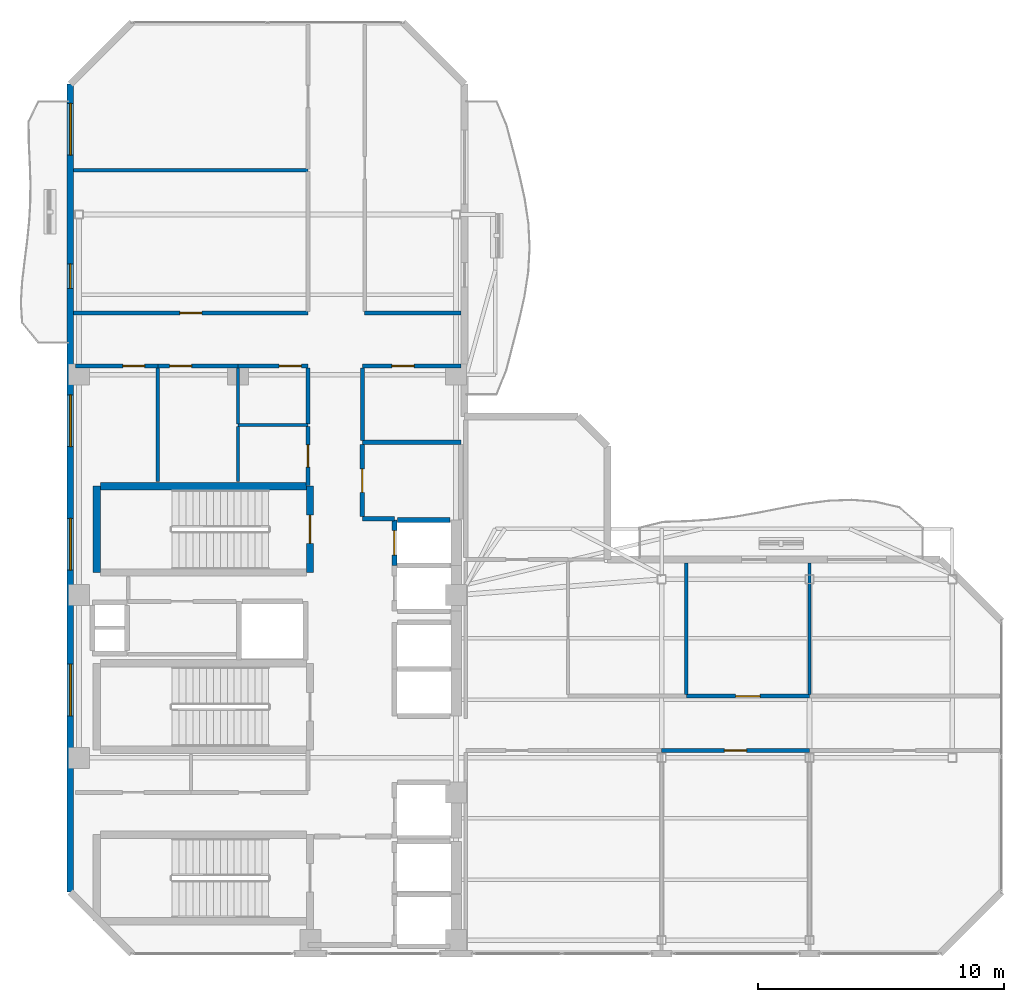
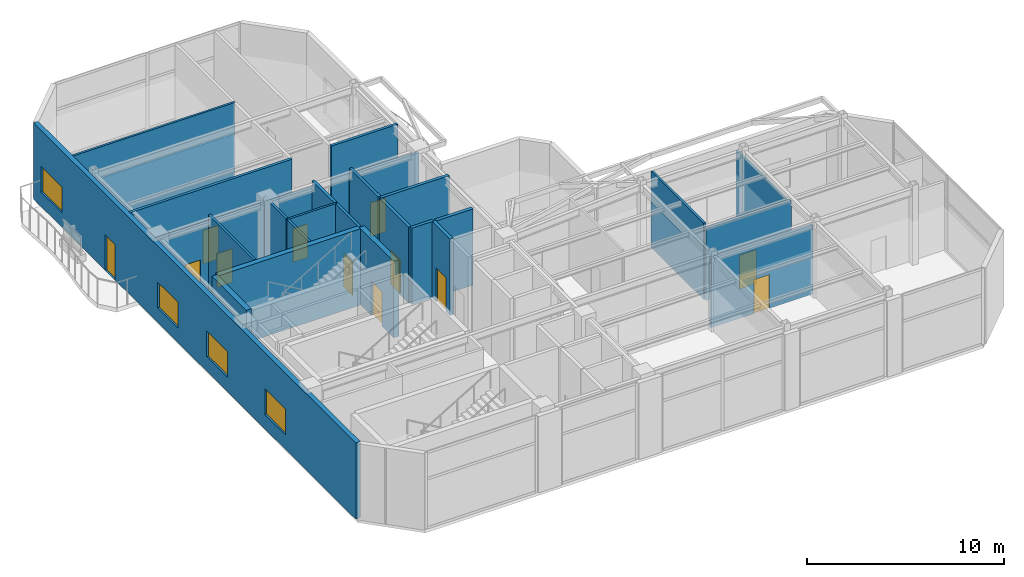
# One storey, part 12 of 15: 27 walls, 12 doors, 4 windows, 16 openings.
"""IFC4 building model written with IfcOpenShell, lengths in metres."""

from ifc_helpers import new_model, si_unit, direction, frame, frame_2d, origin, place, context, subcontext, project, spatial, rectangle, extrude, material, layer, layer_set, type_object, element, fill, save


model = new_model("IFC4")

# Units and contexts
model_context = context("Model", 3, precision=1e-05, world=origin(), true_north=direction((0.0, 1.0)))
body_context = subcontext(model_context, "Body", "Model", "MODEL_VIEW")
ifc_project = project(units=[si_unit("LENGTHUNIT", "METRE"), si_unit("AREAUNIT", "SQUARE_METRE"), si_unit("VOLUMEUNIT", "CUBIC_METRE"), si_unit("PLANEANGLEUNIT", "RADIAN"), si_unit("MASSUNIT", "GRAM", prefix="KILO")], contexts=[model_context])

# Site, building, storey
site_placement = place(None, origin())
site = spatial("IfcSite", under=ifc_project, at=site_placement, CompositionType="ELEMENT")
building_placement = place(site_placement, origin())
building = spatial("IfcBuilding", under=site, at=building_placement, Name="Mawjaban Terraces University", CompositionType="ELEMENT")
storey_placement = place(building_placement, frame((0.0, 0.0, 306.699951171875)))
storey = spatial("IfcBuildingStorey", under=building, at=storey_placement, Name="L75", CompositionType="ELEMENT", Elevation=306.699951171875)

# Walls
ifc_material_1 = material(Name="Acoustic masonry blockwork", Category="masonry")
ifc_layer_1 = layer(ifc_material_1, 0.179931640625)
ifc_layer_set_1 = layer_set([ifc_layer_1], Name="Acoustic masonry blockwork")
wall_type_1 = type_object("IfcWallType", Name="AcousticStudioWall_180", PredefinedType="PARTITIONING", material=ifc_layer_set_1)
wall_1_placement = place(storey_placement, frame((33.85009765625, 17.64990234375, 0.0), z_axis=(0.0, 0.0, 1.0), x_axis=(1.0, 0.0, 0.0)))
element("IfcWall", 1, at=wall_1_placement, inside=storey, type_object=wall_type_1, Name="L75 Graduate Research Collaboration Studio Partition 12", PredefinedType="PARTITIONING", context=body_context, shape_type="SweptSolid", body=[
    extrude(rectangle(XDim=1.2998046875, YDim=0.179931640625, at=frame_2d((0.64990234375, 0.0))), origin(), (0.0, 0.0, 1.0), 4.739990234375),
])
wall_2_placement = place(storey_placement, frame((37.85009765625, 20.75, 0.0), z_axis=(0.0, 0.0, 1.0), x_axis=(-1.0, 0.0, 0.0)))
element("IfcWall", 2, at=wall_2_placement, inside=storey, type_object=wall_type_1, Name="L75 Graduate Research Collaboration Studio Partition 14", PredefinedType="PARTITIONING", context=body_context, shape_type="SweptSolid", body=[
    extrude(rectangle(XDim=4.0, YDim=0.179931640625, at=frame_2d((2.0, 0.0))), origin(), (0.0, 0.0, 1.0), 4.739990234375),
])

# Wall, opening, door
wall_3_placement = place(storey_placement, frame((33.85009765625, 17.735107421875, 0.0), z_axis=(0.0, 0.0, 1.0), x_axis=(0.0, 1.0, 0.0)))
wall_3 = element("IfcWall", 3, at=wall_3_placement, inside=storey, type_object=wall_type_1, Name="L75 Core North Lift Lobby Partition 36", PredefinedType="PARTITIONING", context=body_context, shape_type="SweptSolid", body=[
    extrude(rectangle(XDim=2.929931640625, YDim=0.179931640625, at=frame_2d((1.46484375, 0.0))), origin(), (0.0, 0.0, 1.0), 4.739990234375),
])
opening_1_placement = place(wall_3_placement, frame((0.989990234375, 0.0, 0.0)))
opening_1 = element("IfcOpeningElement", 4, at=opening_1_placement, cuts=wall_3, Name="Opening ID-095", PredefinedType="OPENING", context=body_context, shape_type="SweptSolid", body=[
    extrude(rectangle(XDim=0.949951171875, YDim=2.10009765625, at=frame_2d((0.47509765625, 1.050048828125))), frame((0.0, 0.099853515625, 0.0), z_axis=(0.0, -1.0, 0.0), x_axis=(1.0, 0.0, 0.0)), (0.0, 0.0, 1.0), 0.199951171875),
])
ifc_material_2 = material(Name="Powder-coated steel frame and solid acoustic timber leaf", Category="steel")
door_type_1 = type_object("IfcDoorType", Name="StudioDoor_950x2100", OperationType="NOTDEFINED", PredefinedType="DOOR", material=ifc_material_2)
door_1_placement = place(opening_1_placement, origin())
door_1 = element("IfcDoor", 5, at=door_1_placement, inside=storey, type_object=door_type_1, Name="L75 Graduate Research Collaboration Studio Door", OperationType="SINGLE_SWING_LEFT", OverallHeight=2.10009765625, OverallWidth=0.949951171875, PredefinedType="DOOR", context=body_context, shape_type="SweptSolid", body=[
    extrude(rectangle(XDim=0.949951171875, YDim=2.10009765625, at=frame_2d((0.47509765625, 1.050048828125))), frame((0.0, 0.02490234375, 0.0), z_axis=(0.0, -1.0, 0.0), x_axis=(1.0, 0.0, 0.0)), (0.0, 0.0, 1.0), 0.050048828125),
])
fill(opening_1, door_1)

ifc_material_3 = material(Name="Fire-rated gypsum board on steel stud", Category="steel")
ifc_layer_2 = layer(ifc_material_3, 0.159912109375)
ifc_layer_set_2 = layer_set([ifc_layer_2], Name="Fire-rated gypsum board on steel stud")
wall_type_2 = type_object("IfcWallType", Name="CorridorPartition_160", PredefinedType="PARTITIONING", material=ifc_layer_set_2)
wall_4_placement = place(storey_placement, frame((25.550048828125, 23.85009765625, 0.0), z_axis=(0.0, 0.0, 1.0), x_axis=(-1.0, 0.0, 0.0)))
wall_4 = element("IfcWall", 6, at=wall_4_placement, inside=storey, type_object=wall_type_2, Name="L75 Female Toilet Partition 3", PredefinedType="PARTITIONING", context=body_context, shape_type="SweptSolid", body=[
    extrude(rectangle(XDim=3.35009765625, YDim=0.159912109375, at=frame_2d((1.675048828125, 0.0))), origin(), (0.0, 0.0, 1.0), 4.277099609375),
])
opening_2_placement = place(wall_4_placement, frame((0.534912109375, 0.0, 0.0)))
opening_2 = element("IfcOpeningElement", 7, at=opening_2_placement, cuts=wall_4, Name="Opening ID-088", PredefinedType="OPENING", context=body_context, shape_type="SweptSolid", body=[
    extrude(rectangle(XDim=0.8798828125, YDim=2.10009765625, at=frame_2d((0.43994140625, 1.050048828125))), frame((0.0, 0.08984375, 0.0), z_axis=(0.0, -1.0, 0.0), x_axis=(1.0, 0.0, 0.0)), (0.0, 0.0, 1.0), 0.179931640625),
])
door_type_2 = type_object("IfcDoorType", Name="ToiletDoor_880x2100", OperationType="NOTDEFINED", PredefinedType="DOOR", material=ifc_material_2)
door_2_placement = place(opening_2_placement, origin())
door_2 = element("IfcDoor", 8, at=door_2_placement, inside=storey, type_object=door_type_2, Name="L75 Female Toilet Door", OperationType="SINGLE_SWING_RIGHT", OverallHeight=2.10009765625, OverallWidth=0.8798828125, PredefinedType="DOOR", context=body_context, shape_type="SweptSolid", body=[
    extrude(rectangle(XDim=0.8798828125, YDim=2.10009765625, at=frame_2d((0.43994140625, 1.050048828125))), frame((0.0, 0.02490234375, 0.0), z_axis=(0.0, -1.0, 0.0), x_axis=(1.0, 0.0, 0.0)), (0.0, 0.0, 1.0), 0.050048828125),
])
fill(opening_2, door_2)

wall_5_placement = place(storey_placement, frame((28.800048828125, 23.85009765625, 0.0), z_axis=(0.0, 0.0, 1.0), x_axis=(-1.0, 0.0, 0.0)))
wall_5 = element("IfcWall", 9, at=wall_5_placement, inside=storey, type_object=wall_type_2, Name="L75 Staff Tea Pantry Partition 5", PredefinedType="PARTITIONING", context=body_context, shape_type="SweptSolid", body=[
    extrude(rectangle(XDim=3.25, YDim=0.159912109375, at=frame_2d((1.625, 0.0))), origin(), (0.0, 0.0, 1.0), 4.277099609375),
])
opening_3_placement = place(wall_5_placement, frame((1.875, 0.0, 0.0)))
opening_3 = element("IfcOpeningElement", 10, at=opening_3_placement, cuts=wall_5, Name="Opening ID-090", PredefinedType="OPENING", context=body_context, shape_type="SweptSolid", body=[
    extrude(rectangle(XDim=0.89990234375, YDim=2.10009765625, at=frame_2d((0.449951171875, 1.050048828125))), frame((0.0, 0.08984375, 0.0), z_axis=(0.0, -1.0, 0.0), x_axis=(1.0, 0.0, 0.0)), (0.0, 0.0, 1.0), 0.179931640625),
])
door_type_3 = type_object("IfcDoorType", Name="OfficeDoor_900x2100", OperationType="NOTDEFINED", PredefinedType="DOOR", material=ifc_material_2)
door_3_placement = place(opening_3_placement, origin())
door_3 = element("IfcDoor", 11, at=door_3_placement, inside=storey, type_object=door_type_3, Name="L75 Staff Tea Pantry Door", OperationType="SINGLE_SWING_LEFT", OverallHeight=2.10009765625, OverallWidth=0.89990234375, PredefinedType="DOOR", context=body_context, shape_type="SweptSolid", body=[
    extrude(rectangle(XDim=0.89990234375, YDim=2.10009765625, at=frame_2d((0.449951171875, 1.050048828125))), frame((0.0, 0.02490234375, 0.0), z_axis=(0.0, -1.0, 0.0), x_axis=(1.0, 0.0, 0.0)), (0.0, 0.0, 1.0), 0.050048828125),
])
fill(opening_3, door_3)

wall_6_placement = place(storey_placement, frame((31.64990234375, 23.85009765625, 0.0), z_axis=(0.0, 0.0, 1.0), x_axis=(-1.0, 0.0, 0.0)))
wall_6 = element("IfcWall", 12, at=wall_6_placement, inside=storey, type_object=wall_type_2, Name="L75 Faculty Consultation Alcove Partition 9", PredefinedType="PARTITIONING", context=body_context, shape_type="SweptSolid", body=[
    extrude(rectangle(XDim=2.849853515625, YDim=0.159912109375, at=frame_2d((1.4248046875, 0.0))), origin(), (0.0, 0.0, 1.0), 4.277099609375),
])
opening_4_placement = place(wall_6_placement, frame((0.27490234375, 0.0, 0.0)))
opening_4 = element("IfcOpeningElement", 13, at=opening_4_placement, cuts=wall_6, Name="Opening ID-090", PredefinedType="OPENING", context=body_context, shape_type="SweptSolid", body=[
    extrude(rectangle(XDim=0.89990234375, YDim=2.10009765625, at=frame_2d((0.449951171875, 1.050048828125))), frame((0.0, 0.08984375, 0.0), z_axis=(0.0, -1.0, 0.0), x_axis=(1.0, 0.0, 0.0)), (0.0, 0.0, 1.0), 0.179931640625),
])
door_4_placement = place(opening_4_placement, origin())
door_4 = element("IfcDoor", 14, at=door_4_placement, inside=storey, type_object=door_type_3, Name="L75 Faculty Consultation Alcove Door", OperationType="SINGLE_SWING_RIGHT", OverallHeight=2.10009765625, OverallWidth=0.89990234375, PredefinedType="DOOR", context=body_context, shape_type="SweptSolid", body=[
    extrude(rectangle(XDim=0.89990234375, YDim=2.10009765625, at=frame_2d((0.449951171875, 1.050048828125))), frame((0.0, 0.02490234375, 0.0), z_axis=(0.0, -1.0, 0.0), x_axis=(1.0, 0.0, 0.0)), (0.0, 0.0, 1.0), 0.050048828125),
])
fill(opening_4, door_4)

wall_7_placement = place(storey_placement, frame((31.64990234375, 26.0, 0.0), z_axis=(0.0, 0.0, 1.0), x_axis=(-1.0, 0.0, 0.0)))
wall_7 = element("IfcWall", 15, at=wall_7_placement, inside=storey, type_object=wall_type_2, Name="L75 North Core Cross-Corridor Partition 10", PredefinedType="PARTITIONING", context=body_context, shape_type="SweptSolid", body=[
    extrude(rectangle(XDim=9.516845703125, YDim=0.159912109375, at=frame_2d((4.75830078125, 0.0))), origin(), (0.0, 0.0, 1.0), 4.739990234375),
])
opening_5_placement = place(wall_7_placement, frame((4.30810546875, 0.0, 0.0)))
opening_5 = element("IfcOpeningElement", 16, at=opening_5_placement, cuts=wall_7, Name="Opening ID-090", PredefinedType="OPENING", context=body_context, shape_type="SweptSolid", body=[
    extrude(rectangle(XDim=0.89990234375, YDim=2.10009765625, at=frame_2d((0.449951171875, 1.050048828125))), frame((0.0, 0.08984375, 0.0), z_axis=(0.0, -1.0, 0.0), x_axis=(1.0, 0.0, 0.0)), (0.0, 0.0, 1.0), 0.179931640625),
])
door_5_placement = place(opening_5_placement, origin())
door_5 = element("IfcDoor", 17, at=door_5_placement, inside=storey, type_object=door_type_3, Name="L75 Mecca Urbanism Exhibition Hall 1 Door", OperationType="SINGLE_SWING_RIGHT", OverallHeight=2.10009765625, OverallWidth=0.89990234375, PredefinedType="DOOR", context=body_context, shape_type="SweptSolid", body=[
    extrude(rectangle(XDim=0.89990234375, YDim=2.10009765625, at=frame_2d((0.449951171875, 1.050048828125))), frame((0.0, 0.02490234375, 0.0), z_axis=(0.0, -1.0, 0.0), x_axis=(1.0, 0.0, 0.0)), (0.0, 0.0, 1.0), 0.050048828125),
])
fill(opening_5, door_5)

wall_8_placement = place(storey_placement, frame((37.85009765625, 23.85009765625, 0.0), z_axis=(0.0, 0.0, 1.0), x_axis=(-1.0, 0.0, 0.0)))
wall_8 = element("IfcWall", 18, at=wall_8_placement, inside=storey, type_object=wall_type_2, Name="L75 Departmental Copy and Archive Room Partition 15", PredefinedType="PARTITIONING", context=body_context, shape_type="SweptSolid", body=[
    extrude(rectangle(XDim=4.0, YDim=0.159912109375, at=frame_2d((2.0, 0.0))), origin(), (0.0, 0.0, 1.0), 4.277099609375),
])
opening_6_placement = place(wall_8_placement, frame((1.89990234375, 0.0, 0.0)))
opening_6 = element("IfcOpeningElement", 19, at=opening_6_placement, cuts=wall_8, Name="Opening ID-090", PredefinedType="OPENING", context=body_context, shape_type="SweptSolid", body=[
    extrude(rectangle(XDim=0.89990234375, YDim=2.10009765625, at=frame_2d((0.449951171875, 1.050048828125))), frame((0.0, 0.08984375, 0.0), z_axis=(0.0, -1.0, 0.0), x_axis=(1.0, 0.0, 0.0)), (0.0, 0.0, 1.0), 0.179931640625),
])
door_6_placement = place(opening_6_placement, origin())
door_6 = element("IfcDoor", 20, at=door_6_placement, inside=storey, type_object=door_type_3, Name="L75 Departmental Copy and Archive Room Door", OperationType="SINGLE_SWING_RIGHT", OverallHeight=2.10009765625, OverallWidth=0.89990234375, PredefinedType="DOOR", context=body_context, shape_type="SweptSolid", body=[
    extrude(rectangle(XDim=0.89990234375, YDim=2.10009765625, at=frame_2d((0.449951171875, 1.050048828125))), frame((0.0, 0.02490234375, 0.0), z_axis=(0.0, -1.0, 0.0), x_axis=(1.0, 0.0, 0.0)), (0.0, 0.0, 1.0), 0.050048828125),
])
fill(opening_6, door_6)

# Wall
wall_9_placement = place(storey_placement, frame((37.866943359375, 26.0, 0.0), z_axis=(0.0, 0.0, 1.0), x_axis=(-1.0, 0.0, 0.0)))
element("IfcWall", 21, at=wall_9_placement, inside=storey, type_object=wall_type_2, Name="L75 North Core Cross-Corridor Partition 16", PredefinedType="PARTITIONING", context=body_context, shape_type="SweptSolid", body=[
    extrude(rectangle(XDim=3.9169921875, YDim=0.159912109375, at=frame_2d((1.95849609375, 0.0))), origin(), (0.0, 0.0, 1.0), 4.739990234375),
])

# Wall, opening, door
wall_10_placement = place(storey_placement, frame((46.0, 8.25, 0.0), z_axis=(0.0, 0.0, 1.0), x_axis=(1.0, 0.0, 0.0)))
wall_10 = element("IfcWall", 22, at=wall_10_placement, inside=storey, type_object=wall_type_2, Name="L75 Observation Gallery Corridor Partition 21", PredefinedType="PARTITIONING", context=body_context, shape_type="SweptSolid", body=[
    extrude(rectangle(XDim=6.0, YDim=0.159912109375, at=frame_2d((3.0, 0.0))), origin(), (0.0, 0.0, 1.0), 4.277099609375),
])
opening_7_placement = place(wall_10_placement, frame((2.550048828125, 0.0, 0.0)))
opening_7 = element("IfcOpeningElement", 23, at=opening_7_placement, cuts=wall_10, Name="Opening ID-090", PredefinedType="OPENING", context=body_context, shape_type="SweptSolid", body=[
    extrude(rectangle(XDim=0.89990234375, YDim=2.10009765625, at=frame_2d((0.449951171875, 1.050048828125))), frame((0.0, 0.08984375, 0.0), z_axis=(0.0, -1.0, 0.0), x_axis=(1.0, 0.0, 0.0)), (0.0, 0.0, 1.0), 0.179931640625),
])
door_7_placement = place(opening_7_placement, origin())
door_7 = element("IfcDoor", 24, at=door_7_placement, inside=storey, type_object=door_type_3, Name="L75 Public Observation Gallery South-Mid Door", OperationType="SINGLE_SWING_LEFT", OverallHeight=2.10009765625, OverallWidth=0.89990234375, PredefinedType="DOOR", context=body_context, shape_type="SweptSolid", body=[
    extrude(rectangle(XDim=0.89990234375, YDim=2.10009765625, at=frame_2d((0.449951171875, 1.050048828125))), frame((0.0, 0.02490234375, 0.0), z_axis=(0.0, -1.0, 0.0), x_axis=(1.0, 0.0, 0.0)), (0.0, 0.0, 1.0), 0.050048828125),
])
fill(opening_7, door_7)

wall_11_placement = place(storey_placement, frame((52.0, 10.449951171875, 0.0), z_axis=(0.0, 0.0, 1.0), x_axis=(-1.0, 0.0, 0.0)))
wall_11 = element("IfcWall", 25, at=wall_11_placement, inside=storey, type_object=wall_type_2, Name="L75 Observation Gallery Corridor Partition 24", PredefinedType="PARTITIONING", context=body_context, shape_type="SweptSolid", body=[
    extrude(rectangle(XDim=5.0, YDim=0.159912109375, at=frame_2d((2.5, 0.0))), origin(), (0.0, 0.0, 1.0), 4.47412109375),
])
opening_8_placement = place(wall_11_placement, frame((2.0, 0.0, 0.0)))
opening_8 = element("IfcOpeningElement", 26, at=opening_8_placement, cuts=wall_11, Name="Opening ID-100", PredefinedType="OPENING", context=body_context, shape_type="SweptSolid", body=[
    extrude(rectangle(XDim=1.0, YDim=2.10009765625, at=frame_2d((0.5, 1.050048828125))), frame((0.0, 0.08984375, 0.0), z_axis=(0.0, -1.0, 0.0), x_axis=(1.0, 0.0, 0.0)), (0.0, 0.0, 1.0), 0.179931640625),
])
door_type_4 = type_object("IfcDoorType", Name="ClassroomDoor_1000x2100", OperationType="NOTDEFINED", PredefinedType="DOOR", material=ifc_material_2)
door_8_placement = place(opening_8_placement, origin())
door_8 = element("IfcDoor", 27, at=door_8_placement, inside=storey, type_object=door_type_4, Name="L75 Sky Observatory Lecture Salon 2 Door", OperationType="SINGLE_SWING_RIGHT", OverallHeight=2.10009765625, OverallWidth=1.0, PredefinedType="DOOR", context=body_context, shape_type="SweptSolid", body=[
    extrude(rectangle(XDim=1.0, YDim=2.10009765625, at=frame_2d((0.5, 1.050048828125))), frame((0.0, 0.02490234375, 0.0), z_axis=(0.0, -1.0, 0.0), x_axis=(1.0, 0.0, 0.0)), (0.0, 0.0, 1.0), 0.050048828125),
])
fill(opening_8, door_8)

wall_12_placement = place(storey_placement, frame((31.64990234375, 19.010009765625, 0.0), z_axis=(0.0, 0.0, 1.0), x_axis=(0.0, 1.0, 0.0)))
wall_12 = element("IfcWall", 28, at=wall_12_placement, inside=storey, type_object=wall_type_2, Name="L75 Faculty Academic Resource Office Partition 32", PredefinedType="PARTITIONING", context=body_context, shape_type="SweptSolid", body=[
    extrude(rectangle(XDim=2.382080078125, YDim=0.159912109375, at=frame_2d((1.19091796875, 0.0))), origin(), (0.0, 0.0, 1.0), 4.739990234375),
])
opening_9_placement = place(wall_12_placement, frame((0.740966796875, 0.0, 0.0)))
opening_9 = element("IfcOpeningElement", 29, at=opening_9_placement, cuts=wall_12, Name="Opening ID-090", PredefinedType="OPENING", context=body_context, shape_type="SweptSolid", body=[
    extrude(rectangle(XDim=0.89990234375, YDim=2.10009765625, at=frame_2d((0.449951171875, 1.050048828125))), frame((0.0, 0.08984375, 0.0), z_axis=(0.0, -1.0, 0.0), x_axis=(1.0, 0.0, 0.0)), (0.0, 0.0, 1.0), 0.179931640625),
])
door_9_placement = place(opening_9_placement, origin())
door_9 = element("IfcDoor", 30, at=door_9_placement, inside=storey, type_object=door_type_3, Name="L75 Faculty Academic Resource Office Door", OperationType="SINGLE_SWING_LEFT", OverallHeight=2.10009765625, OverallWidth=0.89990234375, PredefinedType="DOOR", context=body_context, shape_type="SweptSolid", body=[
    extrude(rectangle(XDim=0.89990234375, YDim=2.10009765625, at=frame_2d((0.449951171875, 1.050048828125))), frame((0.0, 0.02490234375, 0.0), z_axis=(0.0, -1.0, 0.0), x_axis=(1.0, 0.0, 0.0)), (0.0, 0.0, 1.0), 0.050048828125),
])
fill(opening_9, door_9)

# Walls
wall_13_placement = place(storey_placement, frame((31.64990234375, 23.77490234375, 0.0), z_axis=(0.0, 0.0, 1.0), x_axis=(0.0, -1.0, 0.0)))
element("IfcWall", 31, at=wall_13_placement, inside=storey, type_object=wall_type_2, Name="L75 Core North Lift Lobby Partition 33", PredefinedType="PARTITIONING", context=body_context, shape_type="SweptSolid", body=[
    extrude(rectangle(XDim=2.266845703125, YDim=0.159912109375, at=frame_2d((1.13330078125, 0.0))), origin(), (0.0, 0.0, 1.0), 4.739990234375),
])
wall_14_placement = place(storey_placement, frame((33.85009765625, 20.8349609375, 0.0), z_axis=(0.0, 0.0, 1.0), x_axis=(0.0, 1.0, 0.0)))
element("IfcWall", 32, at=wall_14_placement, inside=storey, type_object=wall_type_2, Name="L75 Core North Lift Lobby Partition 37", PredefinedType="PARTITIONING", context=body_context, shape_type="SweptSolid", body=[
    extrude(rectangle(XDim=2.93994140625, YDim=0.159912109375, at=frame_2d((1.469970703125, 0.0))), origin(), (0.0, 0.0, 1.0), 4.739990234375),
])

# Wall, openings, door, windows
ifc_material_4 = material(Name="Insulated terracotta rainscreen on concrete backup C40/50", Category="masonry")
ifc_layer_3 = layer(ifc_material_4, 0.27490234375)
ifc_layer_set_3 = layer_set([ifc_layer_3], Name="Insulated terracotta rainscreen on concrete backup C40/50")
wall_type_3 = type_object("IfcWallType", Name="ExtTerracottaWall_275", PredefinedType="SOLIDWALL", material=ifc_layer_set_3)
wall_15_placement = place(storey_placement, frame((22.0, 35.300048828125, 0.0), z_axis=(0.0, 0.0, 1.0), x_axis=(0.0, -1.0, 0.0)))
wall_15 = element("IfcWall", 33, at=wall_15_placement, inside=storey, type_object=wall_type_3, Name="L75 Exterior Terracotta Wall 13", PredefinedType="SOLIDWALL", context=body_context, shape_type="SweptSolid", body=[
    extrude(rectangle(XDim=32.800048828125, YDim=0.27490234375, at=frame_2d((16.39990234375, 0.0))), origin(), (0.0, 0.0, 1.0), 4.739990234375),
])
opening_10_placement = place(wall_15_placement, frame((7.300048828125, 0.0, 0.0)))
opening_10 = element("IfcOpeningElement", 34, at=opening_10_placement, cuts=wall_15, Name="Opening BD-100", PredefinedType="OPENING", context=body_context, shape_type="SweptSolid", body=[
    extrude(rectangle(XDim=1.0, YDim=2.199951171875, at=frame_2d((0.5, 1.10009765625))), frame((0.0, 0.1474609375, 0.0), z_axis=(0.0, -1.0, 0.0), x_axis=(1.0, 0.0, 0.0)), (0.0, 0.0, 1.0), 0.294921875),
])
opening_11_placement = place(wall_15_placement, frame((0.782958984375, 0.0, 0.89990234375)))
opening_11 = element("IfcOpeningElement", 35, at=opening_11_placement, cuts=wall_15, Name="Opening W-04", PredefinedType="OPENING", context=body_context, shape_type="SweptSolid", body=[
    extrude(rectangle(XDim=2.10009765625, YDim=1.60009765625, at=frame_2d((1.050048828125, 0.800048828125))), frame((0.0, 0.1474609375, 0.0), z_axis=(0.0, -1.0, 0.0), x_axis=(1.0, 0.0, 0.0)), (0.0, 0.0, 1.0), 0.294921875),
])
opening_12_placement = place(wall_15_placement, frame((12.616943359375, 0.0, 0.89990234375)))
opening_12 = element("IfcOpeningElement", 36, at=opening_12_placement, cuts=wall_15, Name="Opening W-04", PredefinedType="OPENING", context=body_context, shape_type="SweptSolid", body=[
    extrude(rectangle(XDim=2.10009765625, YDim=1.60009765625, at=frame_2d((1.050048828125, 0.800048828125))), frame((0.0, 0.1474609375, 0.0), z_axis=(0.0, -1.0, 0.0), x_axis=(1.0, 0.0, 0.0)), (0.0, 0.0, 1.0), 0.294921875),
])
opening_13_placement = place(wall_15_placement, frame((17.633056640625, 0.0, 0.89990234375)))
opening_13 = element("IfcOpeningElement", 37, at=opening_13_placement, cuts=wall_15, Name="Opening W-04", PredefinedType="OPENING", context=body_context, shape_type="SweptSolid", body=[
    extrude(rectangle(XDim=2.10009765625, YDim=1.60009765625, at=frame_2d((1.050048828125, 0.800048828125))), frame((0.0, 0.1474609375, 0.0), z_axis=(0.0, -1.0, 0.0), x_axis=(1.0, 0.0, 0.0)), (0.0, 0.0, 1.0), 0.294921875),
])
opening_14_placement = place(wall_15_placement, frame((23.550048828125, 0.0, 0.89990234375)))
opening_14 = element("IfcOpeningElement", 38, at=opening_14_placement, cuts=wall_15, Name="Opening W-04", PredefinedType="OPENING", context=body_context, shape_type="SweptSolid", body=[
    extrude(rectangle(XDim=2.10009765625, YDim=1.60009765625, at=frame_2d((1.050048828125, 0.800048828125))), frame((0.0, 0.1474609375, 0.0), z_axis=(0.0, -1.0, 0.0), x_axis=(1.0, 0.0, 0.0)), (0.0, 0.0, 1.0), 0.294921875),
])
ifc_material_5 = material(Name="Thermally broken anodised aluminium and laminated safety glass", Category="aluminium")
door_type_5 = type_object("IfcDoorType", Name="BalconyGlazedDoor_1000x2200", OperationType="NOTDEFINED", PredefinedType="DOOR", material=ifc_material_5)
door_10_placement = place(opening_10_placement, origin())
door_10 = element("IfcDoor", 39, at=door_10_placement, inside=storey, type_object=door_type_5, Name="L75 Balcony Access Door west", OperationType="SINGLE_SWING_RIGHT", OverallHeight=2.199951171875, OverallWidth=1.0, PredefinedType="DOOR", context=body_context, shape_type="SweptSolid", body=[
    extrude(rectangle(XDim=1.0, YDim=2.199951171875, at=frame_2d((0.5, 1.10009765625))), frame((0.0, 0.02490234375, 0.0), z_axis=(0.0, -1.0, 0.0), x_axis=(1.0, 0.0, 0.0)), (0.0, 0.0, 1.0), 0.050048828125),
])
fill(opening_10, door_10)
ifc_material_6 = material(Name="Low-E solar-control double glazing in thermally broken aluminium frame", Category="aluminium")
window_type = type_object("IfcWindowType", Name="Win_2100x1600", PartitioningType="SINGLE_PANEL", PredefinedType="WINDOW", material=ifc_material_6)
window_1_placement = place(opening_11_placement, origin())
window_1 = element("IfcWindow", 40, at=window_1_placement, inside=storey, type_object=window_type, Name="L75 Facade Window 13.1", OverallHeight=1.60009765625, OverallWidth=2.10009765625, PartitioningType="SINGLE_PANEL", PredefinedType="WINDOW", context=body_context, shape_type="SweptSolid", body=[
    extrude(rectangle(XDim=2.10009765625, YDim=1.60009765625, at=frame_2d((1.050048828125, 0.800048828125))), frame((0.0, 0.030029296875, 0.0), z_axis=(0.0, -1.0, 0.0), x_axis=(1.0, 0.0, 0.0)), (0.0, 0.0, 1.0), 0.06005859375),
])
fill(opening_11, window_1)
window_2_placement = place(opening_12_placement, origin())
window_2 = element("IfcWindow", 41, at=window_2_placement, inside=storey, type_object=window_type, Name="L75 Facade Window 13.3", OverallHeight=1.60009765625, OverallWidth=2.10009765625, PartitioningType="SINGLE_PANEL", PredefinedType="WINDOW", context=body_context, shape_type="SweptSolid", body=[
    extrude(rectangle(XDim=2.10009765625, YDim=1.60009765625, at=frame_2d((1.050048828125, 0.800048828125))), frame((0.0, 0.030029296875, 0.0), z_axis=(0.0, -1.0, 0.0), x_axis=(1.0, 0.0, 0.0)), (0.0, 0.0, 1.0), 0.06005859375),
])
fill(opening_12, window_2)
window_3_placement = place(opening_13_placement, origin())
window_3 = element("IfcWindow", 42, at=window_3_placement, inside=storey, type_object=window_type, Name="L75 Facade Window 13.4", OverallHeight=1.60009765625, OverallWidth=2.10009765625, PartitioningType="SINGLE_PANEL", PredefinedType="WINDOW", context=body_context, shape_type="SweptSolid", body=[
    extrude(rectangle(XDim=2.10009765625, YDim=1.60009765625, at=frame_2d((1.050048828125, 0.800048828125))), frame((0.0, 0.030029296875, 0.0), z_axis=(0.0, -1.0, 0.0), x_axis=(1.0, 0.0, 0.0)), (0.0, 0.0, 1.0), 0.06005859375),
])
fill(opening_13, window_3)
window_4_placement = place(opening_14_placement, origin())
window_4 = element("IfcWindow", 43, at=window_4_placement, inside=storey, type_object=window_type, Name="L75 Facade Window 13.5", OverallHeight=1.60009765625, OverallWidth=2.10009765625, PartitioningType="SINGLE_PANEL", PredefinedType="WINDOW", context=body_context, shape_type="SweptSolid", body=[
    extrude(rectangle(XDim=2.10009765625, YDim=1.60009765625, at=frame_2d((1.050048828125, 0.800048828125))), frame((0.0, 0.030029296875, 0.0), z_axis=(0.0, -1.0, 0.0), x_axis=(1.0, 0.0, 0.0)), (0.0, 0.0, 1.0), 0.06005859375),
])
fill(opening_14, window_4)

# Wall, opening, door
ifc_material_7 = material(Name="Concrete C40/50", Category="concrete")
ifc_layer_4 = layer(ifc_material_7, 0.199951171875)
ifc_layer_set_4 = layer_set([ifc_layer_4], Name="Concrete C40/50")
wall_type_4 = type_object("IfcWallType", Name="FireLobbyWall_200", PredefinedType="SOLIDWALL", material=ifc_layer_set_4)
wall_16_placement = place(storey_placement, frame((35.14990234375, 17.60009765625, 0.0), z_axis=(0.0, 0.0, 1.0), x_axis=(0.0, -1.0, 0.0)))
wall_16 = element("IfcWall", 44, at=wall_16_placement, inside=storey, type_object=wall_type_4, Name="L75 Lift OL-2 Hoistway Wall West", PredefinedType="SOLIDWALL", context=body_context, shape_type="SweptSolid", body=[
    extrude(rectangle(XDim=1.85009765625, YDim=0.199951171875, at=frame_2d((0.925048828125, 0.0))), origin(), (0.0, 0.0, 1.0), 4.739990234375),
])
opening_15_placement = place(wall_16_placement, frame((0.425048828125, 0.0, 0.0)))
opening_15 = element("IfcOpeningElement", 45, at=opening_15_placement, cuts=wall_16, Name="Opening LD-OL-2", PredefinedType="OPENING", context=body_context, shape_type="SweptSolid", body=[
    extrude(rectangle(XDim=1.0, YDim=2.10009765625, at=frame_2d((0.5, 1.050048828125))), frame((0.0, 0.10986328125, 0.0), z_axis=(0.0, -1.0, 0.0), x_axis=(1.0, 0.0, 0.0)), (0.0, 0.0, 1.0), 0.219970703125),
])
ifc_material_8 = material(Name="Powder-coated steel frame and fire-rated steel-faced leaf", Category="steel")
door_type_6 = type_object("IfcDoorType", Name="LiftLandingSliding_1000x2100", OperationType="NOTDEFINED", PredefinedType="DOOR", material=ifc_material_8)
door_11_placement = place(opening_15_placement, origin())
door_11 = element("IfcDoor", 46, at=door_11_placement, inside=storey, type_object=door_type_6, Name="L75 Lift OL-2 Sliding Landing Door", OperationType="DOUBLE_DOOR_SLIDING", OverallHeight=2.10009765625, OverallWidth=1.0, PredefinedType="DOOR", context=body_context, shape_type="SweptSolid", body=[
    extrude(rectangle(XDim=1.0, YDim=2.10009765625, at=frame_2d((0.5, 1.050048828125))), frame((0.0, 0.02490234375, 0.0), z_axis=(0.0, -1.0, 0.0), x_axis=(1.0, 0.0, 0.0)), (0.0, 0.0, 1.0), 0.050048828125),
])
fill(opening_15, door_11)

# Walls
wall_17_placement = place(storey_placement, frame((37.419921875, 17.60009765625, 0.0), z_axis=(0.0, 0.0, 1.0), x_axis=(-1.0, 0.0, 0.0)))
element("IfcWall", 47, at=wall_17_placement, inside=storey, type_object=wall_type_4, Name="L75 Lift OL-2 Hoistway Wall North", PredefinedType="SOLIDWALL", context=body_context, shape_type="SweptSolid", body=[
    extrude(rectangle(XDim=2.139892578125, YDim=0.199951171875, at=frame_2d((1.06982421875, 0.0))), origin(), (0.0, 0.0, 1.0), 4.739990234375),
])
ifc_material_9 = material(Name="Gypsum plasterboard on steel stud", Category="steel")
ifc_layer_5 = layer(ifc_material_9, 0.125)
ifc_layer_set_5 = layer_set([ifc_layer_5], Name="Gypsum plasterboard on steel stud")
wall_type_5 = type_object("IfcWallType", Name="OfficePartition_125", PredefinedType="PARTITIONING", material=ifc_layer_set_5)
wall_18_placement = place(storey_placement, frame((31.64990234375, 21.449951171875, 0.0), z_axis=(0.0, 0.0, 1.0), x_axis=(-1.0, 0.0, 0.0)))
element("IfcWall", 48, at=wall_18_placement, inside=storey, type_object=wall_type_5, Name="L75 Faculty Academic Resource Office Partition 8", PredefinedType="PARTITIONING", context=body_context, shape_type="SweptSolid", body=[
    extrude(rectangle(XDim=2.849853515625, YDim=0.125, at=frame_2d((1.4248046875, 0.0))), origin(), (0.0, 0.0, 1.0), 4.739990234375),
])
wall_19_placement = place(storey_placement, frame((31.64990234375, 31.800048828125, 0.0), z_axis=(0.0, 0.0, 1.0), x_axis=(-1.0, 0.0, 0.0)))
element("IfcWall", 49, at=wall_19_placement, inside=storey, type_object=wall_type_5, Name="L75 Mecca Urbanism Exhibition Hall 1 Partition 11", PredefinedType="PARTITIONING", context=body_context, shape_type="SweptSolid", body=[
    extrude(rectangle(XDim=9.516845703125, YDim=0.125, at=frame_2d((4.75830078125, 0.0))), origin(), (0.0, 0.0, 1.0), 4.739990234375),
])
wall_20_placement = place(storey_placement, frame((28.800048828125, 21.39208984375, 0.0), z_axis=(0.0, 0.0, 1.0), x_axis=(0.0, -1.0, 0.0)))
element("IfcWall", 50, at=wall_20_placement, inside=storey, type_object=wall_type_5, Name="L75 Faculty Academic Resource Office Partition 29", PredefinedType="PARTITIONING", context=body_context, shape_type="SweptSolid", body=[
    extrude(rectangle(XDim=2.232177734375, YDim=0.125, at=frame_2d((1.1162109375, 0.0))), origin(), (0.0, 0.0, 1.0), 4.739990234375),
])
wall_21_placement = place(storey_placement, frame((28.800048828125, 23.77490234375, 0.0), z_axis=(0.0, 0.0, 1.0), x_axis=(0.0, -1.0, 0.0)))
element("IfcWall", 51, at=wall_21_placement, inside=storey, type_object=wall_type_5, Name="L75 Faculty Consultation Alcove Partition 30", PredefinedType="PARTITIONING", context=body_context, shape_type="SweptSolid", body=[
    extrude(rectangle(XDim=2.266845703125, YDim=0.125, at=frame_2d((1.13330078125, 0.0))), origin(), (0.0, 0.0, 1.0), 4.739990234375),
])
wall_22_placement = place(storey_placement, frame((47.0, 10.52490234375, 0.0), z_axis=(0.0, 0.0, 1.0), x_axis=(0.0, 1.0, 0.0)))
element("IfcWall", 52, at=wall_22_placement, inside=storey, type_object=wall_type_5, Name="L75 Sky Observatory Lecture Salon 1 Partition 46", PredefinedType="PARTITIONING", context=body_context, shape_type="SweptSolid", body=[
    extrude(rectangle(XDim=5.342041015625, YDim=0.125, at=frame_2d((2.6708984375, 0.0))), origin(), (0.0, 0.0, 1.0), 4.739990234375),
])
wall_23_placement = place(storey_placement, frame((52.0, 10.52490234375, 0.0), z_axis=(0.0, 0.0, 1.0), x_axis=(0.0, 1.0, 0.0)))
element("IfcWall", 53, at=wall_23_placement, inside=storey, type_object=wall_type_5, Name="L75 Sky Observatory Lecture Salon 2 Partition 48", PredefinedType="PARTITIONING", context=body_context, shape_type="SweptSolid", body=[
    extrude(rectangle(XDim=5.342041015625, YDim=0.125, at=frame_2d((2.6708984375, 0.0))), origin(), (0.0, 0.0, 1.0), 4.277099609375),
])
ifc_material_10 = material(Name="Concrete C60/75", Category="concrete")
ifc_layer_6 = layer(ifc_material_10, 0.300048828125)
ifc_layer_set_6 = layer_set([ifc_layer_6], Name="Concrete C60/75")
wall_type_6 = type_object("IfcWallType", Name="StairShaftWall_300", PredefinedType="SHEAR", material=ifc_layer_set_6)
wall_24_placement = place(storey_placement, frame((31.580078125, 18.97998046875, 0.0), z_axis=(0.0, 0.0, 1.0), x_axis=(-1.0, 0.0, 0.0)))
element("IfcWall", 54, at=wall_24_placement, inside=storey, type_object=wall_type_6, Name="L75 ST-2 Stair Shaft Wall 1", PredefinedType="SHEAR", context=body_context, shape_type="SweptSolid", body=[
    extrude(rectangle(XDim=8.360107421875, YDim=0.300048828125, at=frame_2d((4.18017578125, 0.0))), origin(), (0.0, 0.0, 1.0), 4.739990234375),
])
wall_25_placement = place(storey_placement, frame((23.070068359375, 18.97998046875, 0.0), z_axis=(0.0, 0.0, 1.0), x_axis=(0.0, -1.0, 0.0)))
element("IfcWall", 55, at=wall_25_placement, inside=storey, type_object=wall_type_6, Name="L75 ST-2 Stair Shaft Wall 2", PredefinedType="SHEAR", context=body_context, shape_type="SweptSolid", body=[
    extrude(rectangle(XDim=3.510009765625, YDim=0.300048828125, at=frame_2d((1.7548828125, 0.0))), origin(), (0.0, 0.0, 1.0), 4.739990234375),
])

# Wall, opening, door
wall_26_placement = place(storey_placement, frame((31.72998046875, 15.469970703125, 0.0), z_axis=(0.0, 0.0, 1.0), x_axis=(0.0, 1.0, 0.0)))
wall_26 = element("IfcWall", 56, at=wall_26_placement, inside=storey, type_object=wall_type_6, Name="L75 ST-2 Stair Shaft Wall 4", PredefinedType="SHEAR", context=body_context, shape_type="SweptSolid", body=[
    extrude(rectangle(XDim=3.510009765625, YDim=0.300048828125, at=frame_2d((1.7548828125, 0.0))), origin(), (0.0, 0.0, 1.0), 4.739990234375),
])
opening_16_placement = place(wall_26_placement, frame((1.179931640625, 0.0, 0.0)))
opening_16 = element("IfcOpeningElement", 57, at=opening_16_placement, cuts=wall_26, Name="Opening FD-115", PredefinedType="OPENING", context=body_context, shape_type="SweptSolid", body=[
    extrude(rectangle(XDim=1.14990234375, YDim=2.14990234375, at=frame_2d((0.574951171875, 1.074951171875))), frame((0.0, 0.159912109375, 0.0), z_axis=(0.0, -1.0, 0.0), x_axis=(1.0, 0.0, 0.0)), (0.0, 0.0, 1.0), 0.320068359375),
])
door_type_7 = type_object("IfcDoorType", Name="FireStairDoor_1150x2150", OperationType="NOTDEFINED", PredefinedType="DOOR", material=ifc_material_8)
door_12_placement = place(opening_16_placement, origin())
door_12 = element("IfcDoor", 58, at=door_12_placement, inside=storey, type_object=door_type_7, Name="L75 ST-2 Pressurised Stair Fire Door", OperationType="SINGLE_SWING_RIGHT", OverallHeight=2.14990234375, OverallWidth=1.14990234375, PredefinedType="DOOR", context=body_context, shape_type="SweptSolid", body=[
    extrude(rectangle(XDim=1.14990234375, YDim=2.14990234375, at=frame_2d((0.574951171875, 1.074951171875))), frame((0.0, 0.02490234375, 0.0), z_axis=(0.0, -1.0, 0.0), x_axis=(1.0, 0.0, 0.0)), (0.0, 0.0, 1.0), 0.050048828125),
])
fill(opening_16, door_12)

# Wall
ifc_material_11 = material(Name="Cement-board wet-room partition", Category="masonry")
ifc_layer_7 = layer(ifc_material_11, 0.135009765625)
ifc_layer_set_7 = layer_set([ifc_layer_7], Name="Cement-board wet-room partition")
wall_type_7 = type_object("IfcWallType", Name="WetRoomPartition_135", PredefinedType="PARTITIONING", material=ifc_layer_set_7)
wall_27_placement = place(storey_placement, frame((25.550048828125, 19.159912109375, 0.0), z_axis=(0.0, 0.0, 1.0), x_axis=(0.0, 1.0, 0.0)))
element("IfcWall", 59, at=wall_27_placement, inside=storey, type_object=wall_type_7, Name="L75 Female Toilet Partition 27", PredefinedType="PARTITIONING", context=body_context, shape_type="SweptSolid", body=[
    extrude(rectangle(XDim=4.614990234375, YDim=0.135009765625, at=frame_2d((2.3076171875, 0.0))), origin(), (0.0, 0.0, 1.0), 4.739990234375),
])

save(model, "model.ifc")
